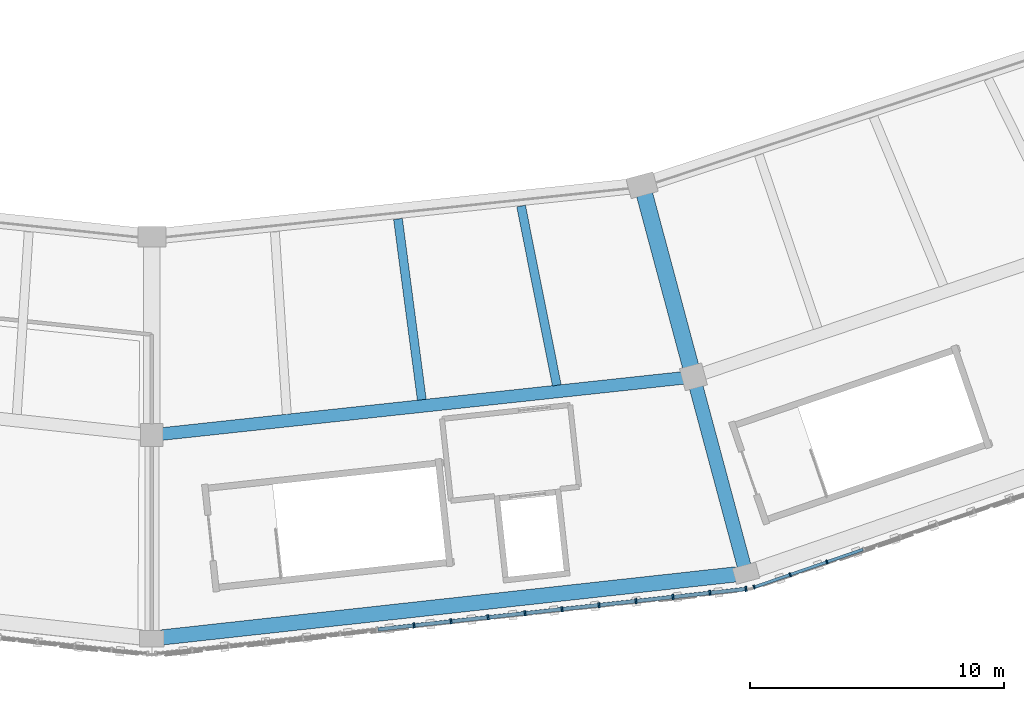
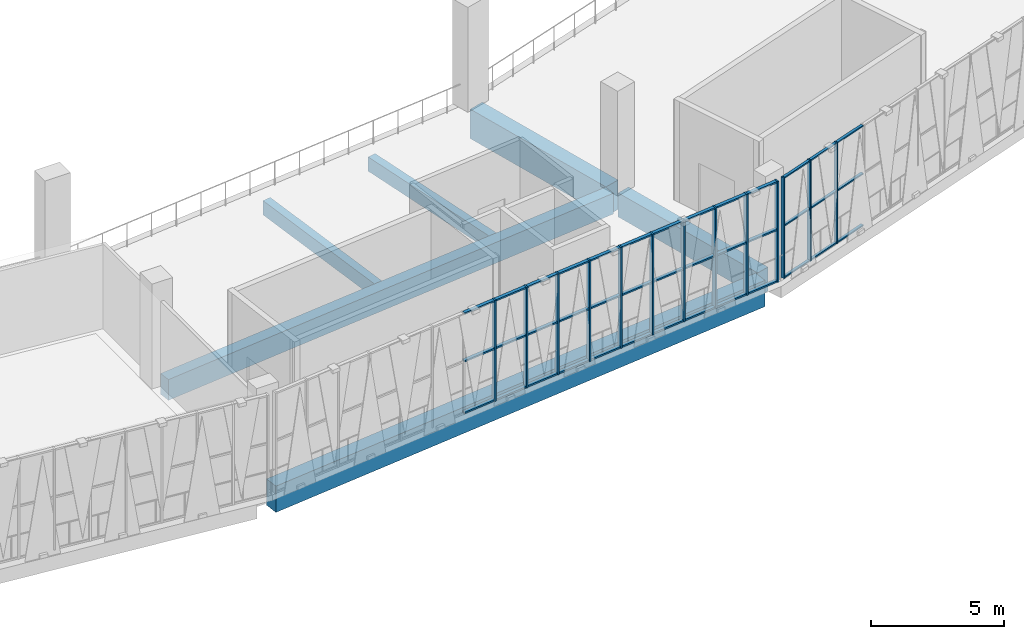
# One storey, part 9 of 64: 52 members, 6 beams, 2 elements without a shape of their own.
"""IFC4 building model written with IfcOpenShell, lengths in metres."""

from ifc_helpers import new_model, si_unit, direction, frame, origin, origin_2d, place, context, subcontext, project, spatial, rectangle, extrude, material, material_profile, profile_set, type_object, element, aggregate, save


model = new_model("IFC4")

# Units and contexts
model_context = context("Model", 3, precision=1e-05, world=origin(), true_north=direction((0.0, 1.0)))
body_context = subcontext(model_context, "Body", "Model", "MODEL_VIEW")
ifc_project = project(units=[si_unit("LENGTHUNIT", "METRE"), si_unit("AREAUNIT", "SQUARE_METRE"), si_unit("VOLUMEUNIT", "CUBIC_METRE"), si_unit("PLANEANGLEUNIT", "RADIAN"), si_unit("MASSUNIT", "GRAM", prefix="KILO")], contexts=[model_context])

# Site, building, storey
site_placement = place(None, origin())
site = spatial("IfcSite", under=ifc_project, at=site_placement, CompositionType="ELEMENT")
building_placement = place(site_placement, origin())
building = spatial("IfcBuilding", under=site, at=building_placement, Name="Zevraka Park Crest Stadium", CompositionType="ELEMENT")
storey_placement = place(building_placement, frame((0.0, 0.0, 24.60009765625)))
storey = spatial("IfcBuildingStorey", under=building, at=storey_placement, Name="L05", CompositionType="ELEMENT", Elevation=24.60009765625)

# Beams
ifc_material_1 = material(Name="Concrete C40/50", Category="concrete")
ifc_material_profile_1 = material_profile(ifc_material_1, rectangle(XDim=0.64990234375, YDim=1.35009765625, at=origin_2d()), Name="RC 1350x650")
ifc_profile_set_1 = profile_set([ifc_material_profile_1], Name="Concrete C40/50")
beam_type_1 = type_object("IfcBeamType", Name="BG01", PredefinedType="BEAM", material=ifc_profile_set_1)
beam_1_placement = place(storey_placement, frame((131.360107421875, 34.237060546875, -0.68505859375), z_axis=(0.258747385792, -0.965945024495, 0.0), x_axis=(0.965945024495, 0.258747385792, 0.0)))
element("IfcBeam", 1, at=beam_1_placement, inside=storey, type_object=beam_type_1, Name="Radial Girder BG01 L05-BC-19", PredefinedType="BEAM", context=body_context, shape_type="SweptSolid", body=[
    extrude(rectangle(XDim=0.64990234375, YDim=1.35009765625, at=origin_2d()), origin(), (0.0, 0.0, 1.0), 7.19921875),
])
ifc_material_2 = material(Name="Concrete C40/50", Category="concrete")
ifc_material_profile_2 = material_profile(ifc_material_2, rectangle(XDim=0.550048828125, YDim=1.10009765625, at=origin_2d()), Name="RC 1100x550")
ifc_profile_set_2 = profile_set([ifc_material_profile_2], Name="Concrete C40/50")
beam_type_2 = type_object("IfcBeamType", Name="BG02", PredefinedType="BEAM", material=ifc_profile_set_2)
beam_2_placement = place(storey_placement, frame((133.37890625, 26.702880859375, -0.56005859375), z_axis=(0.258697599806, -0.965958359276, 0.0), x_axis=(0.965958359276, 0.258697599806, 0.0)))
element("IfcBeam", 2, at=beam_2_placement, inside=storey, type_object=beam_type_2, Name="Radial Girder BG02 L05-CD-19", PredefinedType="BEAM", context=body_context, shape_type="SweptSolid", body=[
    extrude(rectangle(XDim=0.550048828125, YDim=1.10009765625, at=origin_2d()), origin(), (0.0, 0.0, 1.0), 7.39892578125),
])

# Curtain wall, members
ifc_material_3 = material(Name="Anodised architectural aluminium and laminated safety glass", Category="aluminium")
curtain_wall_type_1 = type_object("IfcCurtainWallType", Name="CW22", PredefinedType="NOTDEFINED", material=ifc_material_3)
curtain_wall_1_placement = place(storey_placement, origin())
curtain_wall_1 = element("IfcCurtainWall", 3, at=curtain_wall_1_placement, inside=storey, type_object=curtain_wall_type_1, Name="Unitised Ring Curtain Wall CW22 L05-19", PredefinedType="NOTDEFINED")
ifc_material_4 = material(Name="Anodised architectural aluminium", Category="aluminium")
ifc_material_profile_3 = material_profile(ifc_material_4, rectangle(XDim=0.159912109375, YDim=0.06005859375, at=origin_2d()), Name="ALU MULLION 160x60")
ifc_profile_set_3 = profile_set([ifc_material_profile_3], Name="Anodised architectural aluminium")
member_type_1 = type_object("IfcMemberType", Name="CM01", PredefinedType="MULLION", material=ifc_profile_set_3)
member_1_placement = place(storey_placement, frame((135.687255859375, 18.720703125, 0.0), z_axis=(0.0, 0.0, 1.0), x_axis=(-0.326929424834, 0.945048755979, 0.0)))
member_1 = element("IfcMember", 4, at=member_1_placement, type_object=member_type_1, Name="CW22 mullion 1", PredefinedType="MULLION", context=body_context, shape_type="SweptSolid", body=[
    extrude(rectangle(XDim=0.159912109375, YDim=0.06005859375, at=origin_2d()), origin(), (0.0, 0.0, 1.0), 4.619873046875),
])
member_2_placement = place(storey_placement, frame((137.1044921875, 19.211181640625, 0.0), z_axis=(0.0, 0.0, 1.0), x_axis=(-0.326929424834, 0.945048755979, 0.0)))
member_2 = element("IfcMember", 5, at=member_2_placement, type_object=member_type_1, Name="CW22 mullion 2", PredefinedType="MULLION", context=body_context, shape_type="SweptSolid", body=[
    extrude(rectangle(XDim=0.159912109375, YDim=0.06005859375, at=origin_2d()), origin(), (0.0, 0.0, 1.0), 4.619873046875),
])
member_3_placement = place(storey_placement, frame((138.550048828125, 19.711181640625, 0.0), z_axis=(0.0, 0.0, 1.0), x_axis=(-0.326929424834, 0.945048755979, 0.0)))
member_3 = element("IfcMember", 6, at=member_3_placement, type_object=member_type_1, Name="CW22 mullion 3", PredefinedType="MULLION", context=body_context, shape_type="SweptSolid", body=[
    extrude(rectangle(XDim=0.159912109375, YDim=0.06005859375, at=origin_2d()), origin(), (0.0, 0.0, 1.0), 4.619873046875),
])

ifc_material_5 = material(Name="Anodised architectural aluminium and laminated safety glass", Category="aluminium")
curtain_wall_type_2 = type_object("IfcCurtainWallType", Name="CW21", PredefinedType="NOTDEFINED", material=ifc_material_5)
curtain_wall_2_placement = place(storey_placement, origin())
curtain_wall_2 = element("IfcCurtainWall", 7, at=curtain_wall_2_placement, inside=storey, type_object=curtain_wall_type_2, Name="Unitised Ring Curtain Wall CW21 L05-18", PredefinedType="NOTDEFINED")
ifc_material_6 = material(Name="Anodised architectural aluminium", Category="aluminium")
ifc_material_profile_4 = material_profile(ifc_material_6, rectangle(XDim=0.199951171875, YDim=0.070068359375, at=origin_2d()), Name="ALU MULLION 200x70")
ifc_profile_set_4 = profile_set([ifc_material_profile_4], Name="Anodised architectural aluminium")
member_type_2 = type_object("IfcMemberType", Name="CM03", PredefinedType="MULLION", material=ifc_profile_set_4)
member_4_placement = place(storey_placement, frame((122.312744140625, 17.214599609375, 0.0), z_axis=(0.0, 0.0, 1.0), x_axis=(-0.109287733215, 0.994010156572, 0.0)))
member_4 = element("IfcMember", 8, at=member_4_placement, type_object=member_type_2, Name="CW21 mullion 8", PredefinedType="MULLION", context=body_context, shape_type="SweptSolid", body=[
    extrude(rectangle(XDim=0.199951171875, YDim=0.070068359375, at=origin_2d()), origin(), (0.0, 0.0, 1.0), 4.619873046875),
])
member_5_placement = place(storey_placement, frame((123.767578125, 17.37451171875, 0.0), z_axis=(0.0, 0.0, 1.0), x_axis=(-0.109287733215, 0.994010156572, 0.0)))
member_5 = element("IfcMember", 9, at=member_5_placement, type_object=member_type_2, Name="CW21 mullion 9", PredefinedType="MULLION", context=body_context, shape_type="SweptSolid", body=[
    extrude(rectangle(XDim=0.199951171875, YDim=0.070068359375, at=origin_2d()), origin(), (0.0, 0.0, 1.0), 4.619873046875),
])
member_6_placement = place(storey_placement, frame((125.22216796875, 17.534423828125, 0.0), z_axis=(0.0, 0.0, 1.0), x_axis=(-0.109287733215, 0.994010156572, 0.0)))
member_6 = element("IfcMember", 10, at=member_6_placement, type_object=member_type_2, Name="CW21 mullion 10", PredefinedType="MULLION", context=body_context, shape_type="SweptSolid", body=[
    extrude(rectangle(XDim=0.199951171875, YDim=0.070068359375, at=origin_2d()), origin(), (0.0, 0.0, 1.0), 4.619873046875),
])
member_7_placement = place(storey_placement, frame((126.6767578125, 17.6943359375, 0.0), z_axis=(0.0, 0.0, 1.0), x_axis=(-0.109287733215, 0.994010156572, 0.0)))
member_7 = element("IfcMember", 11, at=member_7_placement, type_object=member_type_2, Name="CW21 mullion 11", PredefinedType="MULLION", context=body_context, shape_type="SweptSolid", body=[
    extrude(rectangle(XDim=0.199951171875, YDim=0.070068359375, at=origin_2d()), origin(), (0.0, 0.0, 1.0), 4.619873046875),
])
member_8_placement = place(storey_placement, frame((128.131591796875, 17.854248046875, 0.0), z_axis=(0.0, 0.0, 1.0), x_axis=(-0.109287733215, 0.994010156572, 0.0)))
member_8 = element("IfcMember", 12, at=member_8_placement, type_object=member_type_2, Name="CW21 mullion 12", PredefinedType="MULLION", context=body_context, shape_type="SweptSolid", body=[
    extrude(rectangle(XDim=0.199951171875, YDim=0.070068359375, at=origin_2d()), origin(), (0.0, 0.0, 1.0), 4.619873046875),
])
member_9_placement = place(storey_placement, frame((129.586181640625, 18.01416015625, 0.0), z_axis=(0.0, 0.0, 1.0), x_axis=(-0.109287733215, 0.994010156572, 0.0)))
member_9 = element("IfcMember", 13, at=member_9_placement, type_object=member_type_2, Name="CW21 mullion 13", PredefinedType="MULLION", context=body_context, shape_type="SweptSolid", body=[
    extrude(rectangle(XDim=0.199951171875, YDim=0.070068359375, at=origin_2d()), origin(), (0.0, 0.0, 1.0), 4.619873046875),
])
member_10_placement = place(storey_placement, frame((131.041015625, 18.174072265625, 0.0), z_axis=(0.0, 0.0, 1.0), x_axis=(-0.109287733215, 0.994010156572, 0.0)))
member_10 = element("IfcMember", 14, at=member_10_placement, type_object=member_type_2, Name="CW21 mullion 14", PredefinedType="MULLION", context=body_context, shape_type="SweptSolid", body=[
    extrude(rectangle(XDim=0.199951171875, YDim=0.070068359375, at=origin_2d()), origin(), (0.0, 0.0, 1.0), 4.619873046875),
])
member_11_placement = place(storey_placement, frame((132.49560546875, 18.334228515625, 0.0), z_axis=(0.0, 0.0, 1.0), x_axis=(-0.109287733215, 0.994010156572, 0.0)))
member_11 = element("IfcMember", 15, at=member_11_placement, type_object=member_type_2, Name="CW21 mullion 15", PredefinedType="MULLION", context=body_context, shape_type="SweptSolid", body=[
    extrude(rectangle(XDim=0.199951171875, YDim=0.070068359375, at=origin_2d()), origin(), (0.0, 0.0, 1.0), 4.619873046875),
])
member_12_placement = place(storey_placement, frame((133.9501953125, 18.494140625, 0.0), z_axis=(0.0, 0.0, 1.0), x_axis=(-0.109287733215, 0.994010156572, 0.0)))
member_12 = element("IfcMember", 16, at=member_12_placement, type_object=member_type_2, Name="CW21 mullion 16", PredefinedType="MULLION", context=body_context, shape_type="SweptSolid", body=[
    extrude(rectangle(XDim=0.199951171875, YDim=0.070068359375, at=origin_2d()), origin(), (0.0, 0.0, 1.0), 4.619873046875),
])
member_13_placement = place(storey_placement, frame((135.3701171875, 18.650146484375, 0.0), z_axis=(0.0, 0.0, 1.0), x_axis=(-0.109287733215, 0.994010156572, 0.0)))
member_13 = element("IfcMember", 17, at=member_13_placement, type_object=member_type_2, Name="CW21 mullion 17", PredefinedType="MULLION", context=body_context, shape_type="SweptSolid", body=[
    extrude(rectangle(XDim=0.199951171875, YDim=0.070068359375, at=origin_2d()), origin(), (0.0, 0.0, 1.0), 4.619873046875),
])

# Member
ifc_material_7 = material(Name="Anodised architectural aluminium", Category="aluminium")
ifc_material_profile_5 = material_profile(ifc_material_7, rectangle(XDim=0.1201171875, YDim=0.06005859375, at=origin_2d()), Name="ALU TRANSOM 120x60")
ifc_profile_set_5 = profile_set([ifc_material_profile_5], Name="Anodised architectural aluminium")
member_type_3 = type_object("IfcMemberType", Name="CT01", PredefinedType="USERDEFINED", material=ifc_profile_set_5)
member_14_placement = place(storey_placement, frame((135.7158203125, 18.730712890625, 0.02978515625), z_axis=(0.94507879558, 0.326842577007, 0.0), x_axis=(-0.326842577007, 0.94507879558, 0.0)))
member_14 = element("IfcMember", 18, at=member_14_placement, type_object=member_type_3, Name="CW22 transom 1.1", ObjectType="TRANSOM", PredefinedType="USERDEFINED", context=body_context, shape_type="SweptSolid", body=[
    extrude(rectangle(XDim=0.1201171875, YDim=0.06005859375, at=origin_2d()), origin(), (0.0, 0.0, 1.0), 1.439453125),
])

member_15_placement = place(storey_placement, frame((135.7158203125, 18.730712890625, 2.39990234375), z_axis=(0.94507879558, 0.326842577007, 0.0), x_axis=(-0.326842577007, 0.94507879558, 0.0)))
member_15 = element("IfcMember", 19, at=member_15_placement, type_object=member_type_3, Name="CW22 transom 1.2", ObjectType="TRANSOM", PredefinedType="USERDEFINED", context=body_context, shape_type="SweptSolid", body=[
    extrude(rectangle(XDim=0.1201171875, YDim=0.06005859375, at=origin_2d()), origin(), (0.0, 0.0, 1.0), 1.439453125),
])

member_16_placement = place(storey_placement, frame((135.7158203125, 18.730712890625, 4.58984375), z_axis=(0.94507879558, 0.326842577007, 0.0), x_axis=(-0.326842577007, 0.94507879558, 0.0)))
member_16 = element("IfcMember", 20, at=member_16_placement, type_object=member_type_3, Name="CW22 transom 1.3", ObjectType="TRANSOM", PredefinedType="USERDEFINED", context=body_context, shape_type="SweptSolid", body=[
    extrude(rectangle(XDim=0.1201171875, YDim=0.06005859375, at=origin_2d()), origin(), (0.0, 0.0, 1.0), 1.439453125),
])

member_17_placement = place(storey_placement, frame((137.1328125, 19.220947265625, 0.02978515625), z_axis=(0.945051229525, 0.326922274513, 0.0), x_axis=(-0.326922274513, 0.945051229525, 0.0)))
member_17 = element("IfcMember", 21, at=member_17_placement, type_object=member_type_3, Name="CW22 transom 2.1", ObjectType="TRANSOM", PredefinedType="USERDEFINED", context=body_context, shape_type="SweptSolid", body=[
    extrude(rectangle(XDim=0.1201171875, YDim=0.06005859375, at=origin_2d()), origin(), (0.0, 0.0, 1.0), 1.4697265625),
])

member_18_placement = place(storey_placement, frame((137.1328125, 19.220947265625, 2.39990234375), z_axis=(0.945051229525, 0.326922274513, 0.0), x_axis=(-0.326922274513, 0.945051229525, 0.0)))
member_18 = element("IfcMember", 22, at=member_18_placement, type_object=member_type_3, Name="CW22 transom 2.2", ObjectType="TRANSOM", PredefinedType="USERDEFINED", context=body_context, shape_type="SweptSolid", body=[
    extrude(rectangle(XDim=0.1201171875, YDim=0.06005859375, at=origin_2d()), origin(), (0.0, 0.0, 1.0), 1.4697265625),
])

member_19_placement = place(storey_placement, frame((137.1328125, 19.220947265625, 4.58984375), z_axis=(0.945051229525, 0.326922274513, 0.0), x_axis=(-0.326922274513, 0.945051229525, 0.0)))
member_19 = element("IfcMember", 23, at=member_19_placement, type_object=member_type_3, Name="CW22 transom 2.3", ObjectType="TRANSOM", PredefinedType="USERDEFINED", context=body_context, shape_type="SweptSolid", body=[
    extrude(rectangle(XDim=0.1201171875, YDim=0.06005859375, at=origin_2d()), origin(), (0.0, 0.0, 1.0), 1.4697265625),
])

member_20_placement = place(storey_placement, frame((138.578369140625, 19.720947265625, 0.02978515625), z_axis=(0.945051229525, 0.326922274513, 0.0), x_axis=(-0.326922274513, 0.945051229525, 0.0)))
member_20 = element("IfcMember", 24, at=member_20_placement, type_object=member_type_3, Name="CW22 transom 3.1", ObjectType="TRANSOM", PredefinedType="USERDEFINED", context=body_context, shape_type="SweptSolid", body=[
    extrude(rectangle(XDim=0.1201171875, YDim=0.06005859375, at=origin_2d()), origin(), (0.0, 0.0, 1.0), 1.4697265625),
])

member_21_placement = place(storey_placement, frame((138.578369140625, 19.720947265625, 2.39990234375), z_axis=(0.945051229525, 0.326922274513, 0.0), x_axis=(-0.326922274513, 0.945051229525, 0.0)))
member_21 = element("IfcMember", 25, at=member_21_placement, type_object=member_type_3, Name="CW22 transom 3.2", ObjectType="TRANSOM", PredefinedType="USERDEFINED", context=body_context, shape_type="SweptSolid", body=[
    extrude(rectangle(XDim=0.1201171875, YDim=0.06005859375, at=origin_2d()), origin(), (0.0, 0.0, 1.0), 1.4697265625),
])

member_22_placement = place(storey_placement, frame((138.578369140625, 19.720947265625, 4.58984375), z_axis=(0.945051229525, 0.326922274513, 0.0), x_axis=(-0.326922274513, 0.945051229525, 0.0)))
member_22 = element("IfcMember", 26, at=member_22_placement, type_object=member_type_3, Name="CW22 transom 3.3", ObjectType="TRANSOM", PredefinedType="USERDEFINED", context=body_context, shape_type="SweptSolid", body=[
    extrude(rectangle(XDim=0.1201171875, YDim=0.06005859375, at=origin_2d()), origin(), (0.0, 0.0, 1.0), 1.4697265625),
])

aggregate(curtain_wall_1, [member_1, member_2, member_3, member_14, member_15, member_16, member_17, member_18, member_19, member_20, member_21, member_22])

ifc_material_8 = material(Name="Anodised architectural aluminium", Category="aluminium")
ifc_material_profile_6 = material_profile(ifc_material_8, rectangle(XDim=0.14990234375, YDim=0.070068359375, at=origin_2d()), Name="ALU TRANSOM 150x70")
ifc_profile_set_6 = profile_set([ifc_material_profile_6], Name="Anodised architectural aluminium")
member_type_4 = type_object("IfcMemberType", Name="CT03", PredefinedType="USERDEFINED", material=ifc_profile_set_6)
member_23_placement = place(storey_placement, frame((120.892822265625, 17.058349609375, 0.034912109375), z_axis=(0.994007021255, 0.109316246257, 0.0), x_axis=(-0.109316246257, 0.994007021255, 0.0)))
member_23 = element("IfcMember", 27, at=member_23_placement, type_object=member_type_4, Name="CW21 transom 7.1", ObjectType="TRANSOM", PredefinedType="USERDEFINED", context=body_context, shape_type="SweptSolid", body=[
    extrude(rectangle(XDim=0.14990234375, YDim=0.070068359375, at=origin_2d()), origin(), (0.0, 0.0, 1.0), 1.3935546875),
])

member_24_placement = place(storey_placement, frame((120.892822265625, 17.058349609375, 2.39990234375), z_axis=(0.994007021255, 0.109316246257, 0.0), x_axis=(-0.109316246257, 0.994007021255, 0.0)))
member_24 = element("IfcMember", 28, at=member_24_placement, type_object=member_type_4, Name="CW21 transom 7.2", ObjectType="TRANSOM", PredefinedType="USERDEFINED", context=body_context, shape_type="SweptSolid", body=[
    extrude(rectangle(XDim=0.14990234375, YDim=0.070068359375, at=origin_2d()), origin(), (0.0, 0.0, 1.0), 1.3935546875),
])

member_25_placement = place(storey_placement, frame((120.892822265625, 17.058349609375, 4.5849609375), z_axis=(0.994007021255, 0.109316246257, 0.0), x_axis=(-0.109316246257, 0.994007021255, 0.0)))
member_25 = element("IfcMember", 29, at=member_25_placement, type_object=member_type_4, Name="CW21 transom 7.3", ObjectType="TRANSOM", PredefinedType="USERDEFINED", context=body_context, shape_type="SweptSolid", body=[
    extrude(rectangle(XDim=0.14990234375, YDim=0.070068359375, at=origin_2d()), origin(), (0.0, 0.0, 1.0), 1.3935546875),
])

member_26_placement = place(storey_placement, frame((122.34765625, 17.218505859375, 0.034912109375), z_axis=(0.994023955042, 0.109162158292, 0.0), x_axis=(-0.109162158292, 0.994023955042, 0.0)))
member_26 = element("IfcMember", 30, at=member_26_placement, type_object=member_type_4, Name="CW21 transom 8.1", ObjectType="TRANSOM", PredefinedType="USERDEFINED", context=body_context, shape_type="SweptSolid", body=[
    extrude(rectangle(XDim=0.14990234375, YDim=0.070068359375, at=origin_2d()), origin(), (0.0, 0.0, 1.0), 1.393310546875),
])

member_27_placement = place(storey_placement, frame((122.34765625, 17.218505859375, 2.39990234375), z_axis=(0.994023955042, 0.109162158292, 0.0), x_axis=(-0.109162158292, 0.994023955042, 0.0)))
member_27 = element("IfcMember", 31, at=member_27_placement, type_object=member_type_4, Name="CW21 transom 8.2", ObjectType="TRANSOM", PredefinedType="USERDEFINED", context=body_context, shape_type="SweptSolid", body=[
    extrude(rectangle(XDim=0.14990234375, YDim=0.070068359375, at=origin_2d()), origin(), (0.0, 0.0, 1.0), 1.393310546875),
])

member_28_placement = place(storey_placement, frame((122.34765625, 17.218505859375, 4.5849609375), z_axis=(0.994023955042, 0.109162158292, 0.0), x_axis=(-0.109162158292, 0.994023955042, 0.0)))
member_28 = element("IfcMember", 32, at=member_28_placement, type_object=member_type_4, Name="CW21 transom 8.3", ObjectType="TRANSOM", PredefinedType="USERDEFINED", context=body_context, shape_type="SweptSolid", body=[
    extrude(rectangle(XDim=0.14990234375, YDim=0.070068359375, at=origin_2d()), origin(), (0.0, 0.0, 1.0), 1.393310546875),
])

member_29_placement = place(storey_placement, frame((123.80224609375, 17.37841796875, 0.034912109375), z_axis=(0.994026042486, 0.109143148479, 0.0), x_axis=(-0.109143148479, 0.994026042486, 0.0)))
member_29 = element("IfcMember", 33, at=member_29_placement, type_object=member_type_4, Name="CW21 transom 9.1", ObjectType="TRANSOM", PredefinedType="USERDEFINED", context=body_context, shape_type="SweptSolid", body=[
    extrude(rectangle(XDim=0.14990234375, YDim=0.070068359375, at=origin_2d()), origin(), (0.0, 0.0, 1.0), 1.3935546875),
])

member_30_placement = place(storey_placement, frame((123.80224609375, 17.37841796875, 2.39990234375), z_axis=(0.994026042486, 0.109143148479, 0.0), x_axis=(-0.109143148479, 0.994026042486, 0.0)))
member_30 = element("IfcMember", 34, at=member_30_placement, type_object=member_type_4, Name="CW21 transom 9.2", ObjectType="TRANSOM", PredefinedType="USERDEFINED", context=body_context, shape_type="SweptSolid", body=[
    extrude(rectangle(XDim=0.14990234375, YDim=0.070068359375, at=origin_2d()), origin(), (0.0, 0.0, 1.0), 1.3935546875),
])

member_31_placement = place(storey_placement, frame((123.80224609375, 17.37841796875, 4.5849609375), z_axis=(0.994026042486, 0.109143148479, 0.0), x_axis=(-0.109143148479, 0.994026042486, 0.0)))
member_31 = element("IfcMember", 35, at=member_31_placement, type_object=member_type_4, Name="CW21 transom 9.3", ObjectType="TRANSOM", PredefinedType="USERDEFINED", context=body_context, shape_type="SweptSolid", body=[
    extrude(rectangle(XDim=0.14990234375, YDim=0.070068359375, at=origin_2d()), origin(), (0.0, 0.0, 1.0), 1.3935546875),
])

member_32_placement = place(storey_placement, frame((125.257080078125, 17.538330078125, 0.034912109375), z_axis=(0.994023955042, 0.109162158292, 0.0), x_axis=(-0.109162158292, 0.994023955042, 0.0)))
member_32 = element("IfcMember", 36, at=member_32_placement, type_object=member_type_4, Name="CW21 transom 10.1", ObjectType="TRANSOM", PredefinedType="USERDEFINED", context=body_context, shape_type="SweptSolid", body=[
    extrude(rectangle(XDim=0.14990234375, YDim=0.070068359375, at=origin_2d()), origin(), (0.0, 0.0, 1.0), 1.393310546875),
])

member_33_placement = place(storey_placement, frame((125.257080078125, 17.538330078125, 2.39990234375), z_axis=(0.994023955042, 0.109162158292, 0.0), x_axis=(-0.109162158292, 0.994023955042, 0.0)))
member_33 = element("IfcMember", 37, at=member_33_placement, type_object=member_type_4, Name="CW21 transom 10.2", ObjectType="TRANSOM", PredefinedType="USERDEFINED", context=body_context, shape_type="SweptSolid", body=[
    extrude(rectangle(XDim=0.14990234375, YDim=0.070068359375, at=origin_2d()), origin(), (0.0, 0.0, 1.0), 1.393310546875),
])

member_34_placement = place(storey_placement, frame((125.257080078125, 17.538330078125, 4.5849609375), z_axis=(0.994023955042, 0.109162158292, 0.0), x_axis=(-0.109162158292, 0.994023955042, 0.0)))
member_34 = element("IfcMember", 38, at=member_34_placement, type_object=member_type_4, Name="CW21 transom 10.3", ObjectType="TRANSOM", PredefinedType="USERDEFINED", context=body_context, shape_type="SweptSolid", body=[
    extrude(rectangle(XDim=0.14990234375, YDim=0.070068359375, at=origin_2d()), origin(), (0.0, 0.0, 1.0), 1.393310546875),
])

member_35_placement = place(storey_placement, frame((126.711669921875, 17.6982421875, 0.034912109375), z_axis=(0.994004927225, 0.109335285491, 0.0), x_axis=(-0.109335285491, 0.994004927225, 0.0)))
member_35 = element("IfcMember", 39, at=member_35_placement, type_object=member_type_4, Name="CW21 transom 11.1", ObjectType="TRANSOM", PredefinedType="USERDEFINED", context=body_context, shape_type="SweptSolid", body=[
    extrude(rectangle(XDim=0.14990234375, YDim=0.070068359375, at=origin_2d()), origin(), (0.0, 0.0, 1.0), 1.393310546875),
])

member_36_placement = place(storey_placement, frame((126.711669921875, 17.6982421875, 2.39990234375), z_axis=(0.994004927225, 0.109335285491, 0.0), x_axis=(-0.109335285491, 0.994004927225, 0.0)))
member_36 = element("IfcMember", 40, at=member_36_placement, type_object=member_type_4, Name="CW21 transom 11.2", ObjectType="TRANSOM", PredefinedType="USERDEFINED", context=body_context, shape_type="SweptSolid", body=[
    extrude(rectangle(XDim=0.14990234375, YDim=0.070068359375, at=origin_2d()), origin(), (0.0, 0.0, 1.0), 1.393310546875),
])

member_37_placement = place(storey_placement, frame((126.711669921875, 17.6982421875, 4.5849609375), z_axis=(0.994004927225, 0.109335285491, 0.0), x_axis=(-0.109335285491, 0.994004927225, 0.0)))
member_37 = element("IfcMember", 41, at=member_37_placement, type_object=member_type_4, Name="CW21 transom 11.3", ObjectType="TRANSOM", PredefinedType="USERDEFINED", context=body_context, shape_type="SweptSolid", body=[
    extrude(rectangle(XDim=0.14990234375, YDim=0.070068359375, at=origin_2d()), origin(), (0.0, 0.0, 1.0), 1.393310546875),
])

member_38_placement = place(storey_placement, frame((128.166259765625, 17.858154296875, 0.034912109375), z_axis=(0.994007021255, 0.109316246257, 0.0), x_axis=(-0.109316246257, 0.994007021255, 0.0)))
member_38 = element("IfcMember", 42, at=member_38_placement, type_object=member_type_4, Name="CW21 transom 12.1", ObjectType="TRANSOM", PredefinedType="USERDEFINED", context=body_context, shape_type="SweptSolid", body=[
    extrude(rectangle(XDim=0.14990234375, YDim=0.070068359375, at=origin_2d()), origin(), (0.0, 0.0, 1.0), 1.3935546875),
])

member_39_placement = place(storey_placement, frame((128.166259765625, 17.858154296875, 2.39990234375), z_axis=(0.994007021255, 0.109316246257, 0.0), x_axis=(-0.109316246257, 0.994007021255, 0.0)))
member_39 = element("IfcMember", 43, at=member_39_placement, type_object=member_type_4, Name="CW21 transom 12.2", ObjectType="TRANSOM", PredefinedType="USERDEFINED", context=body_context, shape_type="SweptSolid", body=[
    extrude(rectangle(XDim=0.14990234375, YDim=0.070068359375, at=origin_2d()), origin(), (0.0, 0.0, 1.0), 1.3935546875),
])

member_40_placement = place(storey_placement, frame((128.166259765625, 17.858154296875, 4.5849609375), z_axis=(0.994007021255, 0.109316246257, 0.0), x_axis=(-0.109316246257, 0.994007021255, 0.0)))
member_40 = element("IfcMember", 44, at=member_40_placement, type_object=member_type_4, Name="CW21 transom 12.3", ObjectType="TRANSOM", PredefinedType="USERDEFINED", context=body_context, shape_type="SweptSolid", body=[
    extrude(rectangle(XDim=0.14990234375, YDim=0.070068359375, at=origin_2d()), origin(), (0.0, 0.0, 1.0), 1.3935546875),
])

member_41_placement = place(storey_placement, frame((129.62109375, 18.01806640625, 0.034912109375), z_axis=(0.994004927225, 0.109335285491, 0.0), x_axis=(-0.109335285491, 0.994004927225, 0.0)))
member_41 = element("IfcMember", 45, at=member_41_placement, type_object=member_type_4, Name="CW21 transom 13.1", ObjectType="TRANSOM", PredefinedType="USERDEFINED", context=body_context, shape_type="SweptSolid", body=[
    extrude(rectangle(XDim=0.14990234375, YDim=0.070068359375, at=origin_2d()), origin(), (0.0, 0.0, 1.0), 1.393310546875),
])

member_42_placement = place(storey_placement, frame((129.62109375, 18.01806640625, 2.39990234375), z_axis=(0.994004927225, 0.109335285491, 0.0), x_axis=(-0.109335285491, 0.994004927225, 0.0)))
member_42 = element("IfcMember", 46, at=member_42_placement, type_object=member_type_4, Name="CW21 transom 13.2", ObjectType="TRANSOM", PredefinedType="USERDEFINED", context=body_context, shape_type="SweptSolid", body=[
    extrude(rectangle(XDim=0.14990234375, YDim=0.070068359375, at=origin_2d()), origin(), (0.0, 0.0, 1.0), 1.393310546875),
])

member_43_placement = place(storey_placement, frame((129.62109375, 18.01806640625, 4.5849609375), z_axis=(0.994004927225, 0.109335285491, 0.0), x_axis=(-0.109335285491, 0.994004927225, 0.0)))
member_43 = element("IfcMember", 47, at=member_43_placement, type_object=member_type_4, Name="CW21 transom 13.3", ObjectType="TRANSOM", PredefinedType="USERDEFINED", context=body_context, shape_type="SweptSolid", body=[
    extrude(rectangle(XDim=0.14990234375, YDim=0.070068359375, at=origin_2d()), origin(), (0.0, 0.0, 1.0), 1.393310546875),
])

member_44_placement = place(storey_placement, frame((131.07568359375, 18.177978515625, 0.034912109375), z_axis=(0.994007021255, 0.109316246257, 0.0), x_axis=(-0.109316246257, 0.994007021255, 0.0)))
member_44 = element("IfcMember", 48, at=member_44_placement, type_object=member_type_4, Name="CW21 transom 14.1", ObjectType="TRANSOM", PredefinedType="USERDEFINED", context=body_context, shape_type="SweptSolid", body=[
    extrude(rectangle(XDim=0.14990234375, YDim=0.070068359375, at=origin_2d()), origin(), (0.0, 0.0, 1.0), 1.3935546875),
])

member_45_placement = place(storey_placement, frame((131.07568359375, 18.177978515625, 2.39990234375), z_axis=(0.994007021255, 0.109316246257, 0.0), x_axis=(-0.109316246257, 0.994007021255, 0.0)))
member_45 = element("IfcMember", 49, at=member_45_placement, type_object=member_type_4, Name="CW21 transom 14.2", ObjectType="TRANSOM", PredefinedType="USERDEFINED", context=body_context, shape_type="SweptSolid", body=[
    extrude(rectangle(XDim=0.14990234375, YDim=0.070068359375, at=origin_2d()), origin(), (0.0, 0.0, 1.0), 1.3935546875),
])

member_46_placement = place(storey_placement, frame((131.07568359375, 18.177978515625, 4.5849609375), z_axis=(0.994007021255, 0.109316246257, 0.0), x_axis=(-0.109316246257, 0.994007021255, 0.0)))
member_46 = element("IfcMember", 50, at=member_46_placement, type_object=member_type_4, Name="CW21 transom 14.3", ObjectType="TRANSOM", PredefinedType="USERDEFINED", context=body_context, shape_type="SweptSolid", body=[
    extrude(rectangle(XDim=0.14990234375, YDim=0.070068359375, at=origin_2d()), origin(), (0.0, 0.0, 1.0), 1.3935546875),
])

member_47_placement = place(storey_placement, frame((132.530517578125, 18.337890625, 0.034912109375), z_axis=(0.994004927225, 0.109335285491, 0.0), x_axis=(-0.109335285491, 0.994004927225, 0.0)))
member_47 = element("IfcMember", 51, at=member_47_placement, type_object=member_type_4, Name="CW21 transom 15.1", ObjectType="TRANSOM", PredefinedType="USERDEFINED", context=body_context, shape_type="SweptSolid", body=[
    extrude(rectangle(XDim=0.14990234375, YDim=0.070068359375, at=origin_2d()), origin(), (0.0, 0.0, 1.0), 1.393310546875),
])

member_48_placement = place(storey_placement, frame((132.530517578125, 18.337890625, 2.39990234375), z_axis=(0.994004927225, 0.109335285491, 0.0), x_axis=(-0.109335285491, 0.994004927225, 0.0)))
member_48 = element("IfcMember", 52, at=member_48_placement, type_object=member_type_4, Name="CW21 transom 15.2", ObjectType="TRANSOM", PredefinedType="USERDEFINED", context=body_context, shape_type="SweptSolid", body=[
    extrude(rectangle(XDim=0.14990234375, YDim=0.070068359375, at=origin_2d()), origin(), (0.0, 0.0, 1.0), 1.393310546875),
])

member_49_placement = place(storey_placement, frame((132.530517578125, 18.337890625, 4.5849609375), z_axis=(0.994004927225, 0.109335285491, 0.0), x_axis=(-0.109335285491, 0.994004927225, 0.0)))
member_49 = element("IfcMember", 53, at=member_49_placement, type_object=member_type_4, Name="CW21 transom 15.3", ObjectType="TRANSOM", PredefinedType="USERDEFINED", context=body_context, shape_type="SweptSolid", body=[
    extrude(rectangle(XDim=0.14990234375, YDim=0.070068359375, at=origin_2d()), origin(), (0.0, 0.0, 1.0), 1.393310546875),
])

member_50_placement = place(storey_placement, frame((133.985107421875, 18.497802734375, 0.034912109375), z_axis=(0.994012361586, 0.10926767598, 0.0), x_axis=(-0.10926767598, 0.994012361586, 0.0)))
member_50 = element("IfcMember", 54, at=member_50_placement, type_object=member_type_4, Name="CW21 transom 16.1", ObjectType="TRANSOM", PredefinedType="USERDEFINED", context=body_context, shape_type="SweptSolid", body=[
    extrude(rectangle(XDim=0.14990234375, YDim=0.070068359375, at=origin_2d()), origin(), (0.0, 0.0, 1.0), 1.3583984375),
])

member_51_placement = place(storey_placement, frame((133.985107421875, 18.497802734375, 2.39990234375), z_axis=(0.994012361586, 0.10926767598, 0.0), x_axis=(-0.10926767598, 0.994012361586, 0.0)))
member_51 = element("IfcMember", 55, at=member_51_placement, type_object=member_type_4, Name="CW21 transom 16.2", ObjectType="TRANSOM", PredefinedType="USERDEFINED", context=body_context, shape_type="SweptSolid", body=[
    extrude(rectangle(XDim=0.14990234375, YDim=0.070068359375, at=origin_2d()), origin(), (0.0, 0.0, 1.0), 1.3583984375),
])

member_52_placement = place(storey_placement, frame((133.985107421875, 18.497802734375, 4.5849609375), z_axis=(0.994012361586, 0.10926767598, 0.0), x_axis=(-0.10926767598, 0.994012361586, 0.0)))
member_52 = element("IfcMember", 56, at=member_52_placement, type_object=member_type_4, Name="CW21 transom 16.3", ObjectType="TRANSOM", PredefinedType="USERDEFINED", context=body_context, shape_type="SweptSolid", body=[
    extrude(rectangle(XDim=0.14990234375, YDim=0.070068359375, at=origin_2d()), origin(), (0.0, 0.0, 1.0), 1.3583984375),
])

aggregate(curtain_wall_2, [member_4, member_5, member_6, member_7, member_8, member_9, member_10, member_11, member_12, member_13, member_23, member_24, member_25, member_26, member_27, member_28, member_29, member_30, member_31, member_32, member_33, member_34, member_35, member_36, member_37, member_38, member_39, member_40, member_41, member_42, member_43, member_44, member_45, member_46, member_47, member_48, member_49, member_50, member_51, member_52])

# Beams
ifc_material_9 = material(Name="Concrete C40/50", Category="concrete")
ifc_material_profile_7 = material_profile(ifc_material_9, rectangle(XDim=0.60009765625, YDim=1.199951171875, at=origin_2d()), Name="RC 1200x600")
ifc_profile_set_7 = profile_set([ifc_material_profile_7], Name="Concrete C40/50")
beam_type_3 = type_object("IfcBeamType", Name="RB01", PredefinedType="BEAM", material=ifc_profile_set_7)
beam_3_placement = place(storey_placement, frame((112.3779296875, 16.740966796875, -0.610107421875), z_axis=(0.994021150509, 0.109187693174, 0.0), x_axis=(-0.109187693174, 0.994021150509, 0.0)))
element("IfcBeam", 57, at=beam_3_placement, inside=storey, type_object=beam_type_3, Name="Ring Beam RB01 L05-D-18", PredefinedType="BEAM", context=body_context, shape_type="SweptSolid", body=[
    extrude(rectangle(XDim=0.60009765625, YDim=1.199951171875, at=origin_2d()), origin(), (0.0, 0.0, 1.0), 22.7509765625),
])
ifc_material_10 = material(Name="Concrete C40/50", Category="concrete")
ifc_material_profile_8 = material_profile(ifc_material_10, rectangle(XDim=0.5, YDim=0.949951171875, at=origin_2d()), Name="RC 950x500")
ifc_profile_set_8 = profile_set([ifc_material_profile_8], Name="Concrete C40/50")
beam_type_4 = type_object("IfcBeamType", Name="RB02", PredefinedType="BEAM", material=ifc_profile_set_8)
beam_4_placement = place(storey_placement, frame((112.3779296875, 24.740966796875, -0.485107421875), z_axis=(0.994259477334, 0.106995755668, 0.0), x_axis=(-0.106995755668, 0.994259477334, 0.0)))
element("IfcBeam", 58, at=beam_4_placement, inside=storey, type_object=beam_type_4, Name="Ring Beam RB02 L05-C-18", PredefinedType="BEAM", context=body_context, shape_type="SweptSolid", body=[
    extrude(rectangle(XDim=0.5, YDim=0.949951171875, at=origin_2d()), origin(), (0.0, 0.0, 1.0), 20.663818359375),
])
ifc_material_11 = material(Name="Concrete C40/50", Category="concrete")
ifc_material_profile_9 = material_profile(ifc_material_11, rectangle(XDim=0.35009765625, YDim=0.64990234375, at=origin_2d()), Name="RC 650x350")
ifc_profile_set_9 = profile_set([ifc_material_profile_9], Name="Concrete C40/50")
beam_type_5 = type_object("IfcBeamType", Name="SJ06", PredefinedType="JOIST", material=ifc_profile_set_9)
beam_5_placement = place(storey_placement, frame((121.681884765625, 33.200927734375, -0.593017578125), z_axis=(0.13062530986, -0.991431807248, 0.0), x_axis=(0.991431807248, 0.13062530986, 0.0)))
element("IfcBeam", 59, at=beam_5_placement, inside=storey, type_object=beam_type_5, Name="Floor Joist SJ06 L05-BC-18-2", PredefinedType="JOIST", context=body_context, shape_type="SweptSolid", body=[
    extrude(rectangle(XDim=0.35009765625, YDim=0.64990234375, at=origin_2d()), origin(), (0.0, 0.0, 1.0), 7.17333984375),
])
beam_6_placement = place(storey_placement, frame((126.52294921875, 33.7109375, -0.593017578125), z_axis=(0.195423881122, -0.980718872403, 0.0), x_axis=(0.980718872403, 0.195423881122, 0.0)))
element("IfcBeam", 60, at=beam_6_placement, inside=storey, type_object=beam_type_5, Name="Floor Joist SJ06 L05-BC-18-3", PredefinedType="JOIST", context=body_context, shape_type="SweptSolid", body=[
    extrude(rectangle(XDim=0.35009765625, YDim=0.64990234375, at=origin_2d()), origin(), (0.0, 0.0, 1.0), 7.189697265625),
])

save(model, "model.ifc")
